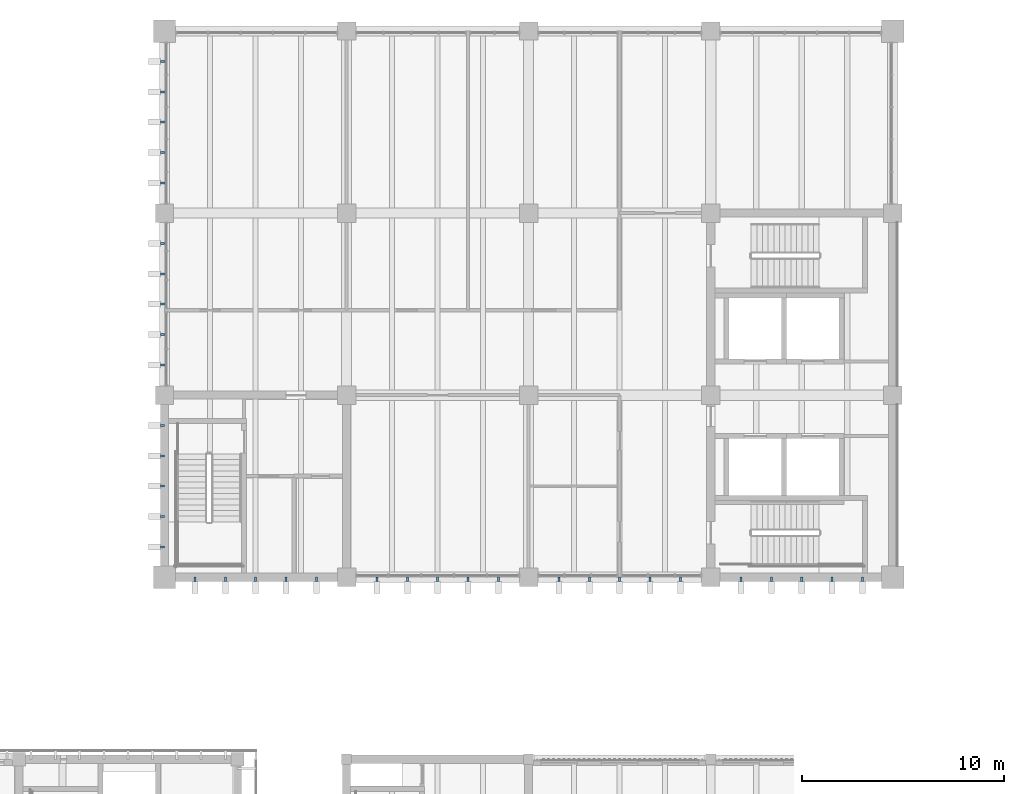
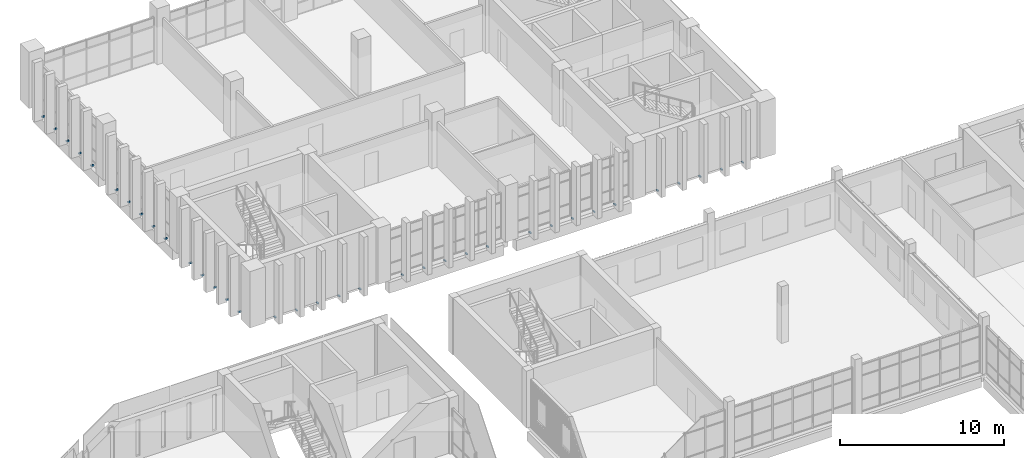
# One storey, part 68 of 92: 35 discrete accessories.
"""IFC4 building model written with IfcOpenShell, lengths in metres."""

from ifc_helpers import new_model, si_unit, direction, frame, origin, place, context, subcontext, project, spatial, polyline, outline, extrude, source, transform, mapped, material, type_object, element, save


model = new_model("IFC4")

# Units and contexts
model_context = context("Model", 3, precision=1e-05, world=origin(), true_north=direction((0.0, 1.0)))
body_context = subcontext(model_context, "Body", "Model", "MODEL_VIEW")
ifc_project = project(units=[si_unit("LENGTHUNIT", "METRE"), si_unit("AREAUNIT", "SQUARE_METRE"), si_unit("VOLUMEUNIT", "CUBIC_METRE"), si_unit("PLANEANGLEUNIT", "RADIAN"), si_unit("MASSUNIT", "GRAM", prefix="KILO")], contexts=[model_context])

# Site, building, storey
site_placement = place(None, origin())
site = spatial("IfcSite", under=ifc_project, at=site_placement, CompositionType="ELEMENT")
building_placement = place(site_placement, origin())
building = spatial("IfcBuilding", under=site, at=building_placement, Name="Merrow Basin Faculty of Sciences", CompositionType="ELEMENT")
storey_placement = place(building_placement, frame((0.0, 0.0, 4.5)))
storey = spatial("IfcBuildingStorey", under=building, at=storey_placement, Name="L01", CompositionType="ELEMENT", Elevation=4.5)

# Discrete accessories
ifc_material = material(Name="Steel ASTM A572 Gr 50", Category="steel")
discrete_accessory_type = type_object("IfcDiscreteAccessoryType", Name="Steel T bracket 100 x 80 fin", PredefinedType="BRACKET", material=ifc_material)
shared_shape = source(origin(), body_context, "Body", "SweptSolid", [
    extrude(outline(polyline([(0.0, 0.0), (0.10009765625, 0.0), (0.10009765625, 0.080078125), (0.0, 0.080078125), (0.0, 0.0)])), origin(), (0.0, 0.0, 1.0), 0.199951171875),
])
for number, where, z_axis, x_axis, name in (
    (1, (19.449951171875, 142.0, -0.199951171875), (0.0, -1.0, 0.0), (1.0, 0.0, 0.0), "Fin bracket SL01"),
    (2, (20.949951171875, 142.0, -0.199951171875), (0.0, -1.0, 0.0), (1.0, 0.0, 0.0), "Fin bracket SL01"),
    (3, (22.449951171875, 142.0, -0.199951171875), (0.0, -1.0, 0.0), (1.0, 0.0, 0.0), "Fin bracket SL01"),
    (4, (23.949951171875, 142.0, -0.199951171875), (0.0, -1.0, 0.0), (1.0, 0.0, 0.0), "Fin bracket SL01"),
    (5, (25.449951171875, 142.0, -0.199951171875), (0.0, -1.0, 0.0), (1.0, 0.0, 0.0), "Fin bracket SL01"),
    (6, (28.449951171875, 142.0, -0.199951171875), (0.0, -1.0, 0.0), (1.0, 0.0, 0.0), "Fin bracket SL01"),
    (7, (29.949951171875, 142.0, -0.199951171875), (0.0, -1.0, 0.0), (1.0, 0.0, 0.0), "Fin bracket SL01"),
    (8, (31.449951171875, 142.0, -0.199951171875), (0.0, -1.0, 0.0), (1.0, 0.0, 0.0), "Fin bracket SL01"),
    (9, (32.949951171875, 142.0, -0.199951171875), (0.0, -1.0, 0.0), (1.0, 0.0, 0.0), "Fin bracket SL01"),
    (10, (34.449951171875, 142.0, -0.199951171875), (0.0, -1.0, 0.0), (1.0, 0.0, 0.0), "Fin bracket SL01"),
    (11, (37.449951171875, 142.0, -0.199951171875), (0.0, -1.0, 0.0), (1.0, 0.0, 0.0), "Fin bracket SL01"),
    (12, (38.949951171875, 142.0, -0.199951171875), (0.0, -1.0, 0.0), (1.0, 0.0, 0.0), "Fin bracket SL01"),
    (13, (40.449951171875, 142.0, -0.199951171875), (0.0, -1.0, 0.0), (1.0, 0.0, 0.0), "Fin bracket SL01"),
    (14, (41.949951171875, 142.0, -0.199951171875), (0.0, -1.0, 0.0), (1.0, 0.0, 0.0), "Fin bracket SL01"),
    (15, (43.449951171875, 142.0, -0.199951171875), (0.0, -1.0, 0.0), (1.0, 0.0, 0.0), "Fin bracket SL01"),
    (16, (46.449951171875, 142.0, -0.199951171875), (0.0, -1.0, 0.0), (1.0, 0.0, 0.0), "Fin bracket SL01"),
    (17, (47.949951171875, 142.0, -0.199951171875), (0.0, -1.0, 0.0), (1.0, 0.0, 0.0), "Fin bracket SL01"),
    (18, (49.449951171875, 142.0, -0.199951171875), (0.0, -1.0, 0.0), (1.0, 0.0, 0.0), "Fin bracket SL01"),
    (19, (50.949951171875, 142.0, -0.199951171875), (0.0, -1.0, 0.0), (1.0, 0.0, 0.0), "Fin bracket SL01"),
    (20, (52.449951171875, 142.0, -0.199951171875), (0.0, -1.0, 0.0), (1.0, 0.0, 0.0), "Fin bracket SL01"),
    (21, (18.0, 143.550048828125, -0.199951171875), (-1.0, 0.0, 0.0), (0.0, -1.0, 0.0), "Fin bracket WL01"),
    (22, (18.0, 145.050048828125, -0.199951171875), (-1.0, 0.0, 0.0), (0.0, -1.0, 0.0), "Fin bracket WL01"),
    (23, (18.0, 146.550048828125, -0.199951171875), (-1.0, 0.0, 0.0), (0.0, -1.0, 0.0), "Fin bracket WL01"),
    (24, (18.0, 148.050048828125, -0.199951171875), (-1.0, 0.0, 0.0), (0.0, -1.0, 0.0), "Fin bracket WL01"),
    (25, (18.0, 149.550048828125, -0.199951171875), (-1.0, 0.0, 0.0), (0.0, -1.0, 0.0), "Fin bracket WL01"),
    (26, (18.0, 152.550048828125, -0.199951171875), (-1.0, 0.0, 0.0), (0.0, -1.0, 0.0), "Fin bracket WL01"),
    (27, (18.0, 154.050048828125, -0.199951171875), (-1.0, 0.0, 0.0), (0.0, -1.0, 0.0), "Fin bracket WL01"),
    (28, (18.0, 155.550048828125, -0.199951171875), (-1.0, 0.0, 0.0), (0.0, -1.0, 0.0), "Fin bracket WL01"),
    (29, (18.0, 157.050048828125, -0.199951171875), (-1.0, 0.0, 0.0), (0.0, -1.0, 0.0), "Fin bracket WL01"),
    (30, (18.0, 158.550048828125, -0.199951171875), (-1.0, 0.0, 0.0), (0.0, -1.0, 0.0), "Fin bracket WL01"),
    (31, (18.0, 161.550048828125, -0.199951171875), (-1.0, 0.0, 0.0), (0.0, -1.0, 0.0), "Fin bracket WL01"),
    (32, (18.0, 163.050048828125, -0.199951171875), (-1.0, 0.0, 0.0), (0.0, -1.0, 0.0), "Fin bracket WL01"),
    (33, (18.0, 164.550048828125, -0.199951171875), (-1.0, 0.0, 0.0), (0.0, -1.0, 0.0), "Fin bracket WL01"),
    (34, (18.0, 166.050048828125, -0.199951171875), (-1.0, 0.0, 0.0), (0.0, -1.0, 0.0), "Fin bracket WL01"),
    (35, (18.0, 167.550048828125, -0.199951171875), (-1.0, 0.0, 0.0), (0.0, -1.0, 0.0), "Fin bracket WL01"),
):
    element("IfcDiscreteAccessory", number, at=place(storey_placement, frame(where, z_axis=z_axis, x_axis=x_axis)), inside=storey, type_object=discrete_accessory_type, Name=name, PredefinedType="BRACKET", context=body_context, shape_type="MappedRepresentation", body=[
        mapped(shared_shape, transform((0.0, 0.0, 0.0), scale=1.0)),
    ])

save(model, "model.ifc")
